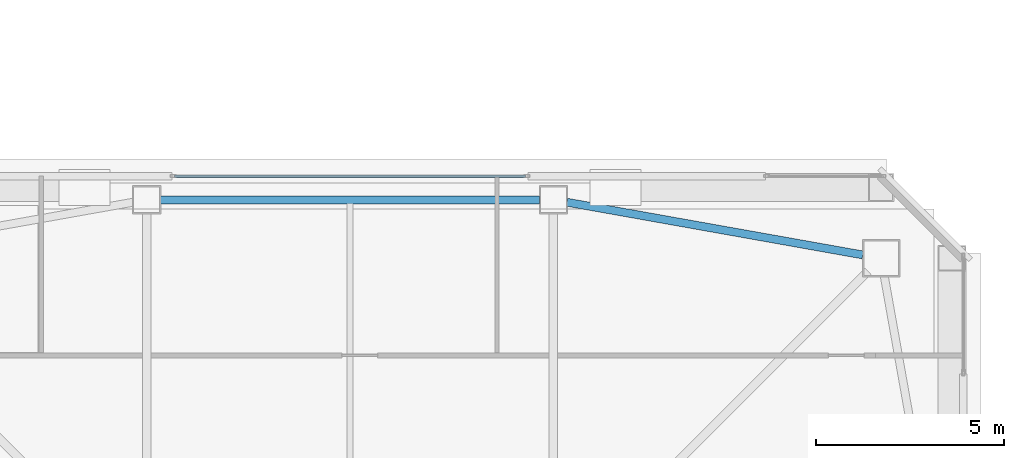
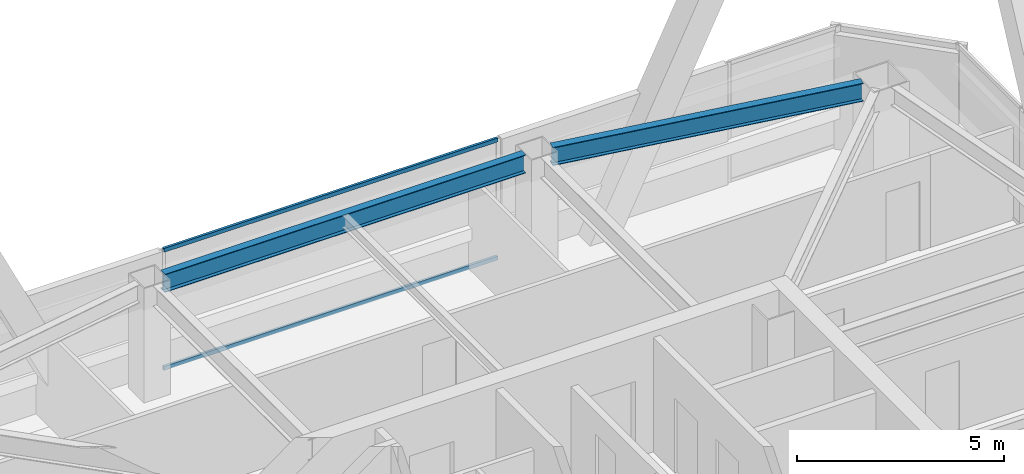
# One storey, part 22 of 56: 2 beams, 2 members, 1 element without a shape of its own.
"""IFC4 building model written with IfcOpenShell, lengths in metres."""

from ifc_helpers import new_model, si_unit, direction, frame, origin, origin_2d, place, context, subcontext, project, spatial, hollow_rectangle, i_section, extrude, material, material_profile, profile_set, type_object, element, aggregate, save


model = new_model("IFC4")

# Units and contexts
model_context = context("Model", 3, precision=1e-05, world=origin(), true_north=direction((0.0, 1.0)))
body_context = subcontext(model_context, "Body", "Model", "MODEL_VIEW")
ifc_project = project(units=[si_unit("LENGTHUNIT", "METRE"), si_unit("AREAUNIT", "SQUARE_METRE"), si_unit("VOLUMEUNIT", "CUBIC_METRE"), si_unit("PLANEANGLEUNIT", "RADIAN"), si_unit("MASSUNIT", "GRAM", prefix="KILO")], contexts=[model_context])

# Site, building, storey
site_placement = place(None, origin())
site = spatial("IfcSite", under=ifc_project, at=site_placement, CompositionType="ELEMENT")
building_placement = place(site_placement, origin())
building = spatial("IfcBuilding", under=site, at=building_placement, Name="Tashvorn Skyway Center", CompositionType="ELEMENT")
storey_placement = place(building_placement, frame((0.0, 0.0, 218.39990234375)))
storey = spatial("IfcBuildingStorey", under=building, at=storey_placement, Name="L59", CompositionType="ELEMENT", Elevation=218.39990234375)

# Beams
ifc_material_1 = material(Name="Steel ASTM A992 Grade 50", Category="steel")
ifc_material_profile_1 = material_profile(ifc_material_1, i_section(OverallWidth=0.2109375, OverallDepth=0.5390625, WebThickness=0.01171875, FlangeThickness=0.018798828125, at=origin_2d()), Name="W21X73")
ifc_profile_set_1 = profile_set([ifc_material_profile_1], Name="Steel ASTM A992 Grade 50")
beam_type = type_object("IfcBeamType", Name="BM-SPANDREL-W21X73", PredefinedType="SPANDREL", material=ifc_profile_set_1)
beam_1_placement = place(storey_placement, frame((55.61279296875, 46.186767578125, 3.1005859375), z_axis=(-0.984494883191, 0.17541329759, 0.0), x_axis=(-0.17541329759, -0.984494883191, 0.0)))
element("IfcBeam", 1, at=beam_1_placement, inside=storey, type_object=beam_type, Name="Tower 1 L59 Spandrel Beam 07", PredefinedType="SPANDREL", context=body_context, shape_type="SweptSolid", body=[
    extrude(i_section(OverallWidth=0.2109375, OverallDepth=0.5390625, WebThickness=0.01171875, FlangeThickness=0.018798828125, at=origin_2d()), origin(), (0.0, 0.0, 1.0), 7.97216796875),
])
beam_2_placement = place(storey_placement, frame((47.030029296875, 47.64990234375, 3.1005859375), z_axis=(-1.0, 0.0, 0.0), x_axis=(0.0, -1.0, 0.0)))
element("IfcBeam", 2, at=beam_2_placement, inside=storey, type_object=beam_type, Name="Tower 1 L59 Spandrel Beam 08", PredefinedType="SPANDREL", context=body_context, shape_type="SweptSolid", body=[
    extrude(i_section(OverallWidth=0.2109375, OverallDepth=0.5390625, WebThickness=0.01171875, FlangeThickness=0.018798828125, at=origin_2d()), origin(), (0.0, 0.0, 1.0), 10.06005859375),
])

# Curtain wall, members
ifc_material_2 = material(Name="Thermally broken bronze-anodized aluminium 6063-T6", Category="aluminium")
curtain_wall_type = type_object("IfcCurtainWallType", Name="CW-CW-Z5", PredefinedType="NOTDEFINED", material=ifc_material_2)
curtain_wall_placement = place(storey_placement, origin())
curtain_wall = element("IfcCurtainWall", 3, at=curtain_wall_placement, inside=storey, type_object=curtain_wall_type, Name="Tower 1 L59 North Unitised Curtain Wall Glazing Group 2", PredefinedType="NOTDEFINED")
ifc_material_profile_2 = material_profile(ifc_material_2, hollow_rectangle(XDim=0.070068359375, YDim=0.114990234375, WallThickness=0.00390625, at=origin_2d()), Name="ALU-TRAN-70x115")
ifc_profile_set_2 = profile_set([ifc_material_profile_2], Name="Thermally broken bronze-anodized aluminium 6063-T6")
member_type = type_object("IfcMemberType", Name="CWT-CW-Z5", PredefinedType="USERDEFINED", material=ifc_profile_set_2)
member_1_placement = place(storey_placement, frame((37.34326171875, 48.280029296875, 0.03515625), z_axis=(1.0, 0.0, 0.0), x_axis=(0.0, 1.0, 0.0)))
member_1 = element("IfcMember", 4, at=member_1_placement, type_object=member_type, Name="CW-Z5 transom 1.1", ObjectType="TRANSOM", PredefinedType="USERDEFINED", context=body_context, shape_type="SweptSolid", body=[
    extrude(hollow_rectangle(XDim=0.070068359375, YDim=0.114990234375, WallThickness=0.00390625, at=origin_2d()), origin(), (0.0, 0.0, 1.0), 9.3134765625),
])
member_2_placement = place(storey_placement, frame((37.34326171875, 48.280029296875, 3.51513671875), z_axis=(1.0, 0.0, 0.0), x_axis=(0.0, 1.0, 0.0)))
member_2 = element("IfcMember", 5, at=member_2_placement, type_object=member_type, Name="CW-Z5 transom 1.2", ObjectType="TRANSOM", PredefinedType="USERDEFINED", context=body_context, shape_type="SweptSolid", body=[
    extrude(hollow_rectangle(XDim=0.070068359375, YDim=0.114990234375, WallThickness=0.00390625, at=origin_2d()), origin(), (0.0, 0.0, 1.0), 9.3134765625),
])
aggregate(curtain_wall, [member_1, member_2])

save(model, "model.ifc")
